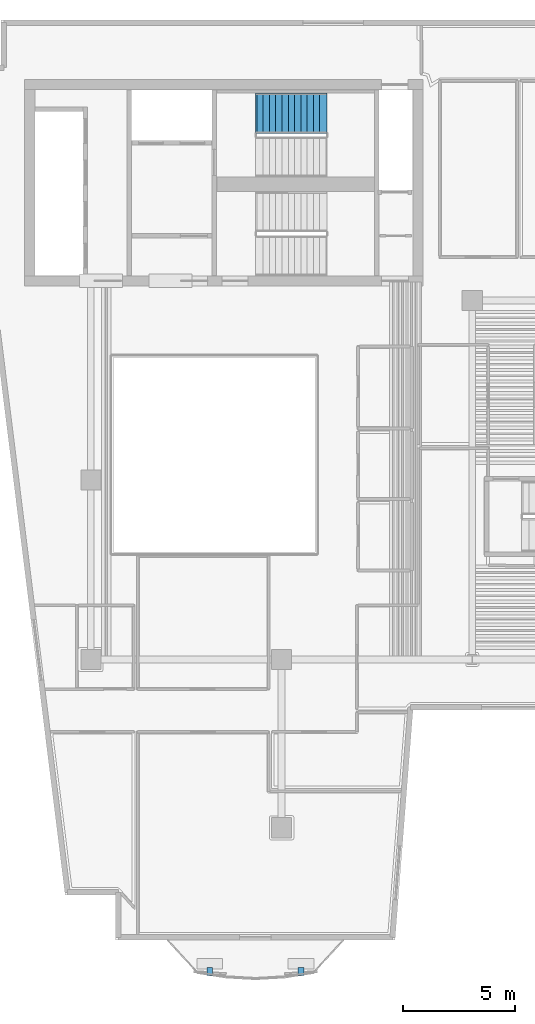
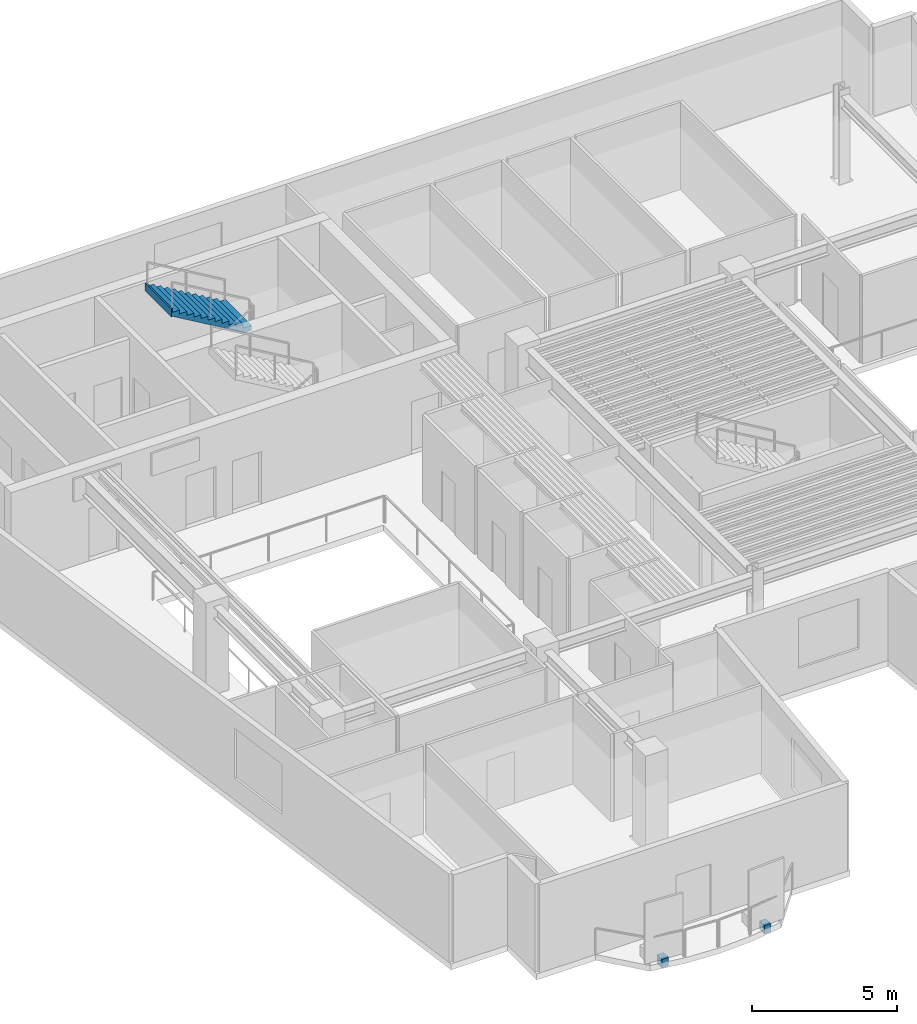
# One storey, part 7 of 10: 2 discrete accessories, 1 stair flight, 1 element without a shape of its own.
"""IFC4 building model written with IfcOpenShell, lengths in metres."""

from ifc_helpers import new_model, si_unit, direction, frame, origin, origin_2d, place, context, subcontext, project, spatial, polyline, rectangle, outline, extrude, material, type_object, element, aggregate, save


model = new_model("IFC4")

# Units and contexts
model_context = context("Model", 3, precision=1e-05, world=origin(), true_north=direction((0.0, 1.0)))
body_context = subcontext(model_context, "Body", "Model", "MODEL_VIEW")
ifc_project = project(units=[si_unit("LENGTHUNIT", "METRE"), si_unit("AREAUNIT", "SQUARE_METRE"), si_unit("VOLUMEUNIT", "CUBIC_METRE"), si_unit("PLANEANGLEUNIT", "RADIAN"), si_unit("MASSUNIT", "GRAM", prefix="KILO")], contexts=[model_context])

# Site, building, storey
site_placement = place(None, origin())
site = spatial("IfcSite", under=ifc_project, at=site_placement, CompositionType="ELEMENT")
building_placement = place(site_placement, origin())
building = spatial("IfcBuilding", under=site, at=building_placement, Name="Caeloran Harvest Quay", CompositionType="ELEMENT")
storey_placement = place(building_placement, frame((0.0, 0.0, 223.25)))
storey = spatial("IfcBuildingStorey", under=building, at=storey_placement, Name="L53", CompositionType="ELEMENT", Elevation=223.25)

# Stair, stair flight
ifc_material_1 = material(Name="Concrete C50/60", Category="concrete")
stair_type = type_object("IfcStairType", Name="STAIR-STC-180", PredefinedType="HALF_TURN_STAIR", material=ifc_material_1)
stair_placement = place(storey_placement, origin())
stair = element("IfcStair", 1, at=stair_placement, inside=storey, type_object=stair_type, Name="L53 Core Pressurized Exit Stair ST-C1", PredefinedType="HALF_TURN_STAIR")
stair_flight_type = type_object("IfcStairFlightType", Name="FLIGHT-STC-180", PredefinedType="STRAIGHT", material=ifc_material_1)
stair_flight_placement = place(storey_placement, frame((18.97998046875, 39.35009765625, 1.97509765625), z_axis=(0.0, 0.0, 1.0), x_axis=(-1.0, 0.0, 0.0)))
stair_flight = element("IfcStairFlight", 2, at=stair_flight_placement, type_object=stair_flight_type, Name="ST-C1 flight 2", NumberOfRisers=12, NumberOfTreads=11, PredefinedType="STRAIGHT", RiserHeight=0.164583333, TreadLength=0.28, context=body_context, shape_type="SweptSolid", body=[
    extrude(outline(polyline([(-0.054931640625, -0.044921875), (-0.054931640625, -0.031982421875), (-0.054931640625, -0.018798828125), (-0.054931640625, -0.005615234375), (-0.054931640625, 0.00732421875), (-0.054931640625, 0.0205078125), (-0.054931640625, 0.03369140625), (-0.054931640625, 0.046630859375), (-0.054931640625, 0.059814453125), (-0.054931640625, 0.072998046875), (-0.054931640625, 0.0859375), (-0.054931640625, 0.09912109375), (-0.054931640625, 0.1123046875), (-0.054931640625, 0.125244140625), (-0.054931640625, 0.138427734375), (-0.054931640625, 0.1513671875), (-0.054931640625, 0.16455078125), (0.280029296875, 0.16455078125), (0.280029296875, 0.3291015625), (0.56005859375, 0.3291015625), (0.56005859375, 0.49365234375), (0.840087890625, 0.49365234375), (0.840087890625, 0.658447265625), (1.1201171875, 0.658447265625), (1.1201171875, 0.822998046875), (1.39990234375, 0.822998046875), (1.39990234375, 0.987548828125), (1.679931640625, 0.987548828125), (1.679931640625, 1.152099609375), (1.9599609375, 1.152099609375), (1.9599609375, 1.316650390625), (2.239990234375, 1.316650390625), (2.239990234375, 1.481201171875), (2.52001953125, 1.481201171875), (2.52001953125, 1.645751953125), (2.800048828125, 1.645751953125), (2.800048828125, 1.810302734375), (3.080078125, 1.810302734375), (3.080078125, 1.97509765625), (3.135009765625, 1.97509765625), (3.135009765625, 1.953857421875), (3.135009765625, 1.9326171875), (3.135009765625, 1.91162109375), (3.135009765625, 1.890380859375), (3.135009765625, 1.869140625), (3.135009765625, 1.84814453125), (3.135009765625, 1.826904296875), (3.135009765625, 1.8056640625), (3.135009765625, 1.78466796875), (3.135009765625, 1.763427734375), (3.135009765625, 1.7421875), (3.135009765625, 1.72119140625), (3.135009765625, 1.699951171875), (3.135009765625, 1.678955078125), (3.135009765625, 1.65771484375), (3.135009765625, 1.636474609375), (3.080078125, 1.636474609375), (0.21923828125, -0.044921875), (-0.054931640625, -0.044921875)])), frame((0.0, 0.89990234375, 0.0), z_axis=(0.0, -1.0, 0.0), x_axis=(1.0, 0.0, 0.0)), (0.0, 0.0, 1.0), 1.800048828125),
])
aggregate(stair, [stair_flight])

# Discrete accessories
ifc_material_2 = material(Name="Stainless Steel Grade 316L", Category="steel")
discrete_accessory_type = type_object("IfcDiscreteAccessoryType", Name="BRACKET-SCREEN-SS", PredefinedType="BRACKET", material=ifc_material_2)
for number, where, z_axis, x_axis, name in (
    (3, (17.868408203125, 1.096435546875, -0.22021484375), (0.0, 0.0, 1.0), (1.0, 0.0, 0.0), "L53 Balcony Screen Support Bracket 1"),
    (4, (13.800537109375, 1.096435546875, -0.22021484375), (0.0, 0.0, 1.0), (1.0, 0.0, 0.0), "L53 Balcony Screen Support Bracket 2"),
):
    element("IfcDiscreteAccessory", number, at=place(storey_placement, frame(where, z_axis=z_axis, x_axis=x_axis)), inside=storey, type_object=discrete_accessory_type, Name=name, PredefinedType="BRACKET", context=body_context, shape_type="SweptSolid", body=[
        extrude(rectangle(XDim=0.260009765625, YDim=0.340087890625, at=origin_2d()), origin(), (0.0, 0.0, 1.0), 0.360107421875),
    ])

save(model, "model.ifc")
